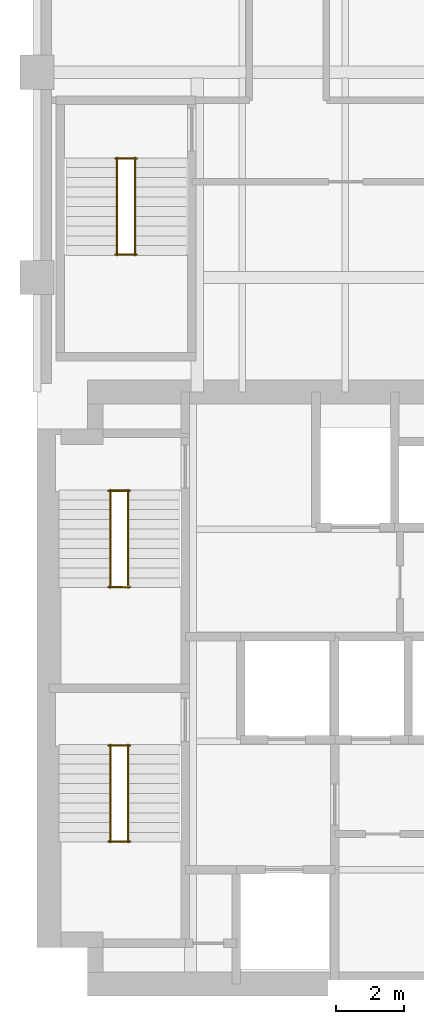
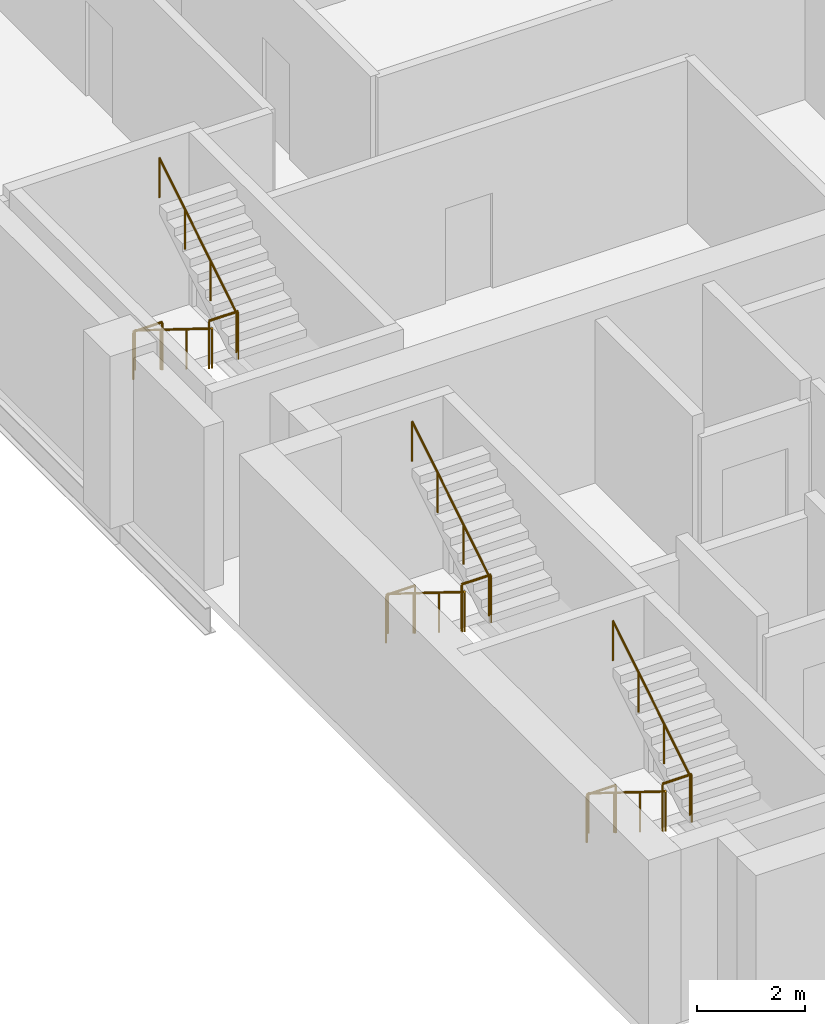
# One storey, part 7 of 7: 12 railings.
"""IFC4 building model written with IfcOpenShell, lengths in metres."""

from ifc_helpers import new_model, si_unit, direction, frame, origin, origin_2d, place, context, subcontext, project, spatial, circle, extrude, material, type_object, element, save


model = new_model("IFC4")

# Units and contexts
model_context = context("Model", 3, precision=1e-05, world=origin(), true_north=direction((0.0, 1.0)))
body_context = subcontext(model_context, "Body", "Model", "MODEL_VIEW")
ifc_project = project(units=[si_unit("LENGTHUNIT", "METRE"), si_unit("AREAUNIT", "SQUARE_METRE"), si_unit("VOLUMEUNIT", "CUBIC_METRE"), si_unit("PLANEANGLEUNIT", "RADIAN"), si_unit("MASSUNIT", "GRAM", prefix="KILO")], contexts=[model_context])

# Site, building, storey
site_placement = place(None, origin())
site = spatial("IfcSite", under=ifc_project, at=site_placement, CompositionType="ELEMENT")
building_placement = place(site_placement, origin())
building = spatial("IfcBuilding", under=site, at=building_placement, Name="Mawjdan Bourse Tower", CompositionType="ELEMENT")
storey_placement = place(building_placement, frame((0.0, 0.0, 147.89990234375)))
storey = spatial("IfcBuildingStorey", under=building, at=storey_placement, Name="L35", CompositionType="ELEMENT", Elevation=147.89990234375)

# Railings
ifc_material_1 = material(Name="Structural Steel S355", Category="steel")
railing_type_1 = type_object("IfcRailingType", Name="RLG-GRD-1100", PredefinedType="GUARDRAIL", material=ifc_material_1)
for number, where, name in (
    (1, (8.090087890625, 7.52001953125, 1.9501953125), "L35 ST1 Landing Guardrail GL-MID"),
    (2, (8.090087890625, 10.330078125, 0.0), "L35 ST1 Landing Guardrail GL-BOT"),
    (3, (8.090087890625, 14.9599609375, 1.9501953125), "L35 ST2 Landing Guardrail GL-MID"),
    (4, (8.090087890625, 17.77001953125, 0.0), "L35 ST2 Landing Guardrail GL-BOT"),
    (5, (8.2900390625, 24.669921875, 1.9501953125), "L35 ST3 Landing Guardrail GL-MID"),
    (6, (8.2900390625, 27.47998046875, 0.0), "L35 ST3 Landing Guardrail GL-BOT"),
):
    element("IfcRailing", number, at=place(storey_placement, frame(where)), inside=storey, type_object=railing_type_1, Name=name, PredefinedType="GUARDRAIL", context=body_context, shape_type="SweptSolid", body=[
        extrude(circle(Radius=0.02490234375, at=origin_2d()), frame((0.0, 0.0, 1.0751953125), z_axis=(1.0, 0.0, 0.0), x_axis=(0.0, 1.0, 0.0)), (0.0, 0.0, 1.0), 0.619873046875),
        extrude(circle(Radius=0.02099609375, at=origin_2d()), origin(), (0.0, 0.0, 1.0), 1.050048828125),
        extrude(circle(Radius=0.02099609375, at=origin_2d()), frame((0.619873046875, 0.0, 0.0)), (0.0, 0.0, 1.0), 1.050048828125),
    ])
ifc_material_2 = material(Name="Brushed Stainless Steel", Category="steel")
railing_type_2 = type_object("IfcRailingType", Name="RLG-HND-920", PredefinedType="HANDRAIL", material=ifc_material_2)
railing_1_placement = place(storey_placement, frame((8.139892578125, 10.35009765625, 0.177490234375)))
element("IfcRailing", 7, at=railing_1_placement, inside=storey, type_object=railing_type_2, Name="L35 ST1 Flight Handrail HR1", PredefinedType="HANDRAIL", context=body_context, shape_type="SweptSolid", body=[
    extrude(circle(Radius=0.0224609375, at=origin_2d()), frame((0.0, 0.0, 0.8974609375), z_axis=(0.0, -0.849148672731, 0.528153890072), x_axis=(1.0, 0.0, 0.0)), (0.0, 0.0, 1.0), 3.3564453125),
    extrude(circle(Radius=0.01904296875, at=origin_2d()), origin(), (0.0, 0.0, 1.0), 0.875),
    extrude(circle(Radius=0.01904296875, at=origin_2d()), frame((0.0, -0.949951171875, 0.5908203125)), (0.0, 0.0, 1.0), 0.875),
    extrude(circle(Radius=0.01904296875, at=origin_2d()), frame((0.0, -1.900146484375, 1.181884765625)), (0.0, 0.0, 1.0), 0.875),
    extrude(circle(Radius=0.01904296875, at=origin_2d()), frame((0.0, -2.85009765625, 1.772705078125)), (0.0, 0.0, 1.0), 0.875),
])
railing_2_placement = place(storey_placement, frame((8.659912109375, 7.5, 2.12744140625)))
element("IfcRailing", 8, at=railing_2_placement, inside=storey, type_object=railing_type_2, Name="L35 ST1 Flight Handrail HR2", PredefinedType="HANDRAIL", context=body_context, shape_type="SweptSolid", body=[
    extrude(circle(Radius=0.0224609375, at=origin_2d()), frame((0.0, 0.0, 0.8974609375), z_axis=(0.0, 0.849148672731, 0.528153890072), x_axis=(-1.0, 0.0, 0.0)), (0.0, 0.0, 1.0), 3.3564453125),
    extrude(circle(Radius=0.01904296875, at=origin_2d()), origin(), (0.0, 0.0, 1.0), 0.875),
    extrude(circle(Radius=0.01904296875, at=origin_2d()), frame((0.0, 0.949951171875, 0.5908203125)), (0.0, 0.0, 1.0), 0.875),
    extrude(circle(Radius=0.01904296875, at=origin_2d()), frame((0.0, 1.900146484375, 1.181884765625)), (0.0, 0.0, 1.0), 0.875),
    extrude(circle(Radius=0.01904296875, at=origin_2d()), frame((0.0, 2.85009765625, 1.772705078125)), (0.0, 0.0, 1.0), 0.875),
])
railing_3_placement = place(storey_placement, frame((8.139892578125, 17.7900390625, 0.177490234375)))
element("IfcRailing", 9, at=railing_3_placement, inside=storey, type_object=railing_type_2, Name="L35 ST2 Flight Handrail HR1", PredefinedType="HANDRAIL", context=body_context, shape_type="SweptSolid", body=[
    extrude(circle(Radius=0.0224609375, at=origin_2d()), frame((0.0, 0.0, 0.8974609375), z_axis=(0.0, -0.849148672731, 0.528153890072), x_axis=(1.0, 0.0, 0.0)), (0.0, 0.0, 1.0), 3.3564453125),
    extrude(circle(Radius=0.01904296875, at=origin_2d()), origin(), (0.0, 0.0, 1.0), 0.875),
    extrude(circle(Radius=0.01904296875, at=origin_2d()), frame((0.0, -0.949951171875, 0.5908203125)), (0.0, 0.0, 1.0), 0.875),
    extrude(circle(Radius=0.01904296875, at=origin_2d()), frame((0.0, -1.900146484375, 1.181884765625)), (0.0, 0.0, 1.0), 0.875),
    extrude(circle(Radius=0.01904296875, at=origin_2d()), frame((0.0, -2.85009765625, 1.772705078125)), (0.0, 0.0, 1.0), 0.875),
])
railing_4_placement = place(storey_placement, frame((8.659912109375, 14.93994140625, 2.12744140625)))
element("IfcRailing", 10, at=railing_4_placement, inside=storey, type_object=railing_type_2, Name="L35 ST2 Flight Handrail HR2", PredefinedType="HANDRAIL", context=body_context, shape_type="SweptSolid", body=[
    extrude(circle(Radius=0.0224609375, at=origin_2d()), frame((0.0, 0.0, 0.8974609375), z_axis=(0.0, 0.849148672731, 0.528153890072), x_axis=(-1.0, 0.0, 0.0)), (0.0, 0.0, 1.0), 3.3564453125),
    extrude(circle(Radius=0.01904296875, at=origin_2d()), origin(), (0.0, 0.0, 1.0), 0.875),
    extrude(circle(Radius=0.01904296875, at=origin_2d()), frame((0.0, 0.949951171875, 0.5908203125)), (0.0, 0.0, 1.0), 0.875),
    extrude(circle(Radius=0.01904296875, at=origin_2d()), frame((0.0, 1.900146484375, 1.181884765625)), (0.0, 0.0, 1.0), 0.875),
    extrude(circle(Radius=0.01904296875, at=origin_2d()), frame((0.0, 2.85009765625, 1.772705078125)), (0.0, 0.0, 1.0), 0.875),
])
railing_5_placement = place(storey_placement, frame((8.340087890625, 27.5, 0.177490234375)))
element("IfcRailing", 11, at=railing_5_placement, inside=storey, type_object=railing_type_2, Name="L35 ST3 Flight Handrail HR1", PredefinedType="HANDRAIL", context=body_context, shape_type="SweptSolid", body=[
    extrude(circle(Radius=0.0224609375, at=origin_2d()), frame((0.0, 0.0, 0.8974609375), z_axis=(0.0, -0.849148672731, 0.528153890072), x_axis=(1.0, 0.0, 0.0)), (0.0, 0.0, 1.0), 3.3564453125),
    extrude(circle(Radius=0.01904296875, at=origin_2d()), origin(), (0.0, 0.0, 1.0), 0.875),
    extrude(circle(Radius=0.01904296875, at=origin_2d()), frame((0.0, -0.949951171875, 0.5908203125)), (0.0, 0.0, 1.0), 0.875),
    extrude(circle(Radius=0.01904296875, at=origin_2d()), frame((0.0, -1.900146484375, 1.181884765625)), (0.0, 0.0, 1.0), 0.875),
    extrude(circle(Radius=0.01904296875, at=origin_2d()), frame((0.0, -2.85009765625, 1.772705078125)), (0.0, 0.0, 1.0), 0.875),
])
railing_6_placement = place(storey_placement, frame((8.860107421875, 24.64990234375, 2.12744140625)))
element("IfcRailing", 12, at=railing_6_placement, inside=storey, type_object=railing_type_2, Name="L35 ST3 Flight Handrail HR2", PredefinedType="HANDRAIL", context=body_context, shape_type="SweptSolid", body=[
    extrude(circle(Radius=0.0224609375, at=origin_2d()), frame((0.0, 0.0, 0.8974609375), z_axis=(0.0, 0.849148672731, 0.528153890072), x_axis=(-1.0, 0.0, 0.0)), (0.0, 0.0, 1.0), 3.3564453125),
    extrude(circle(Radius=0.01904296875, at=origin_2d()), origin(), (0.0, 0.0, 1.0), 0.875),
    extrude(circle(Radius=0.01904296875, at=origin_2d()), frame((0.0, 0.949951171875, 0.5908203125)), (0.0, 0.0, 1.0), 0.875),
    extrude(circle(Radius=0.01904296875, at=origin_2d()), frame((0.0, 1.900146484375, 1.181884765625)), (0.0, 0.0, 1.0), 0.875),
    extrude(circle(Radius=0.01904296875, at=origin_2d()), frame((0.0, 2.85009765625, 1.772705078125)), (0.0, 0.0, 1.0), 0.875),
])

save(model, "model.ifc")
